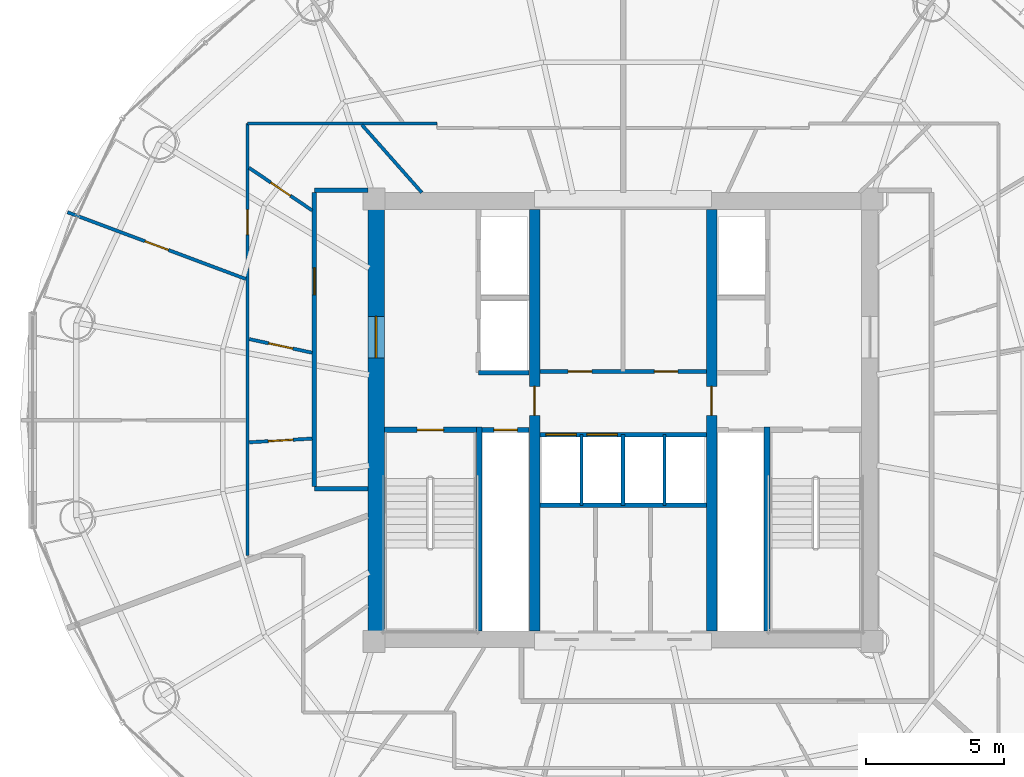
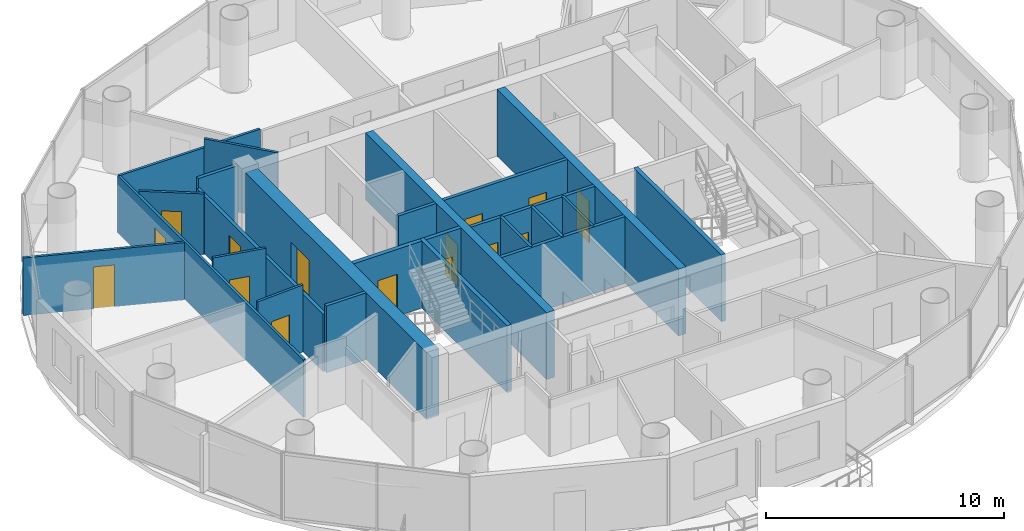
# One storey, part 21 of 26: 24 walls, 15 doors, 15 openings.
"""IFC4 building model written with IfcOpenShell, lengths in metres."""

from ifc_helpers import new_model, si_unit, direction, frame, frame_2d, origin, place, context, subcontext, project, spatial, rectangle, extrude, source, transform, mapped, material, layer, layer_set, type_object, element, fill, save


model = new_model("IFC4")

# Units and contexts
model_context = context("Model", 3, precision=1e-05, world=origin(), true_north=direction((-0.2419218956, 0.970295726276)))
body_context = subcontext(model_context, "Body", "Model", "MODEL_VIEW")
ifc_project = project(units=[si_unit("LENGTHUNIT", "METRE"), si_unit("AREAUNIT", "SQUARE_METRE"), si_unit("VOLUMEUNIT", "CUBIC_METRE"), si_unit("PLANEANGLEUNIT", "RADIAN"), si_unit("MASSUNIT", "GRAM", prefix="KILO")], contexts=[model_context])

# Site, building, storey
site_placement = place(None, origin())
site = spatial("IfcSite", under=ifc_project, at=site_placement, CompositionType="ELEMENT")
building_placement = place(site_placement, origin())
building = spatial("IfcBuilding", under=site, at=building_placement, Name="Cobrevalo Terracotta Tower", CompositionType="ELEMENT")
storey_placement = place(building_placement, frame((0.0, 0.0, 202.300048828125)))
storey = spatial("IfcBuildingStorey", under=building, at=storey_placement, Name="L53", CompositionType="ELEMENT", Elevation=202.300048828125)

# Wall, opening, door
ifc_material_1 = material(Name="Concrete C55", Category="concrete")
ifc_layer_1 = layer(ifc_material_1, 0.60009765625)
ifc_layer_set_1 = layer_set([ifc_layer_1], Name="Concrete C55")
wall_type_1 = type_object("IfcWallType", Name="Core shear wall 600 mm Concrete C55", PredefinedType="SHEAR", material=ifc_layer_set_1)
wall_1_placement = place(storey_placement, frame((29.074951171875, 19.175048828125, 0.0), z_axis=(0.0, 0.0, 1.0), x_axis=(0.0, 1.0, 0.0)))
wall_1 = element("IfcWall", 1, at=wall_1_placement, inside=storey, type_object=wall_type_1, Name="L53 west core shear wall", PredefinedType="SHEAR", context=body_context, shape_type="SweptSolid", body=[
    extrude(rectangle(XDim=15.25, YDim=0.60009765625, at=frame_2d((7.625, 0.0))), origin(), (0.0, 0.0, 1.0), 3.43505859375),
])
opening_1_placement = place(wall_1_placement, frame((9.875, 0.0, 0.0)))
opening_1 = element("IfcOpeningElement", 2, at=opening_1_placement, cuts=wall_1, Name="Opening ID-14", PredefinedType="OPENING", context=body_context, shape_type="SweptSolid", body=[
    extrude(rectangle(XDim=1.5, YDim=2.199951171875, at=frame_2d((0.75, 1.10009765625))), frame((0.0, 0.31005859375, 0.0), z_axis=(0.0, -1.0, 0.0), x_axis=(1.0, 0.0, 0.0)), (0.0, 0.0, 1.0), 0.6201171875),
])
ifc_material_2 = material(Name="Galvanized fire-rated steel", Category="steel")
door_type_1 = type_object("IfcDoorType", Name="Core cross-lobby double fire door 1500x2200 EI 90", OperationType="NOTDEFINED", PredefinedType="DOOR", material=ifc_material_2)
shared_shape_1 = source(origin(), body_context, "Body", "SweptSolid", [
    extrude(rectangle(XDim=1.5, YDim=2.199951171875, at=frame_2d((0.75, 1.10009765625))), frame((0.0, 0.02490234375, 0.0), z_axis=(0.0, -1.0, 0.0), x_axis=(1.0, 0.0, 0.0)), (0.0, 0.0, 1.0), 0.050048828125),
])
door_1_placement = place(opening_1_placement, origin())
door_1 = element("IfcDoor", 3, at=door_1_placement, inside=storey, type_object=door_type_1, Name="L53 west firefighting lobby entrance door", OperationType="DOUBLE_DOOR_SINGLE_SWING", OverallHeight=2.199951171875, OverallWidth=1.5, PredefinedType="DOOR", context=body_context, shape_type="MappedRepresentation", body=[
    mapped(shared_shape_1, transform((0.0, 0.0, 0.0), scale=1.0)),
])
fill(opening_1, door_1)

# Wall
ifc_material_3 = material(Name="Gypsum board on steel stud", Category="steel")
ifc_layer_2 = layer(ifc_material_3, 0.159912109375)
ifc_layer_set_2 = layer_set([ifc_layer_2], Name="Gypsum board on steel stud")
wall_type_2 = type_object("IfcWallType", Name="Fire-rated corridor acoustic partition wall 160 mm", PredefinedType="PARTITIONING", material=ifc_layer_set_2)
wall_2_placement = place(storey_placement, frame((32.77001953125, 28.52001953125, 0.0), z_axis=(0.0, 0.0, 1.0), x_axis=(1.0, 0.0, 0.0)))
element("IfcWall", 4, at=wall_2_placement, inside=storey, type_object=wall_type_2, Name="L53 interior partition IW-L53-FF1-S", PredefinedType="PARTITIONING", context=body_context, shape_type="SweptSolid", body=[
    extrude(rectangle(XDim=1.840087890625, YDim=0.159912109375, at=frame_2d((0.919921875, 0.0))), origin(), (0.0, 0.0, 1.0), 3.43505859375),
])

# Wall, openings, doors
wall_3_placement = place(storey_placement, frame((34.989990234375, 28.56005859375, 0.0), z_axis=(0.0, 0.0, 1.0), x_axis=(1.0, 0.0, 0.0)))
wall_3 = element("IfcWall", 5, at=wall_3_placement, inside=storey, type_object=wall_type_2, Name="L53 interior partition IW-L53-LB-S", PredefinedType="PARTITIONING", context=body_context, shape_type="SweptSolid", body=[
    extrude(rectangle(XDim=6.02001953125, YDim=0.159912109375, at=frame_2d((3.010009765625, 0.0))), origin(), (0.0, 0.0, 1.0), 3.43505859375),
])
opening_2_placement = place(wall_3_placement, frame((1.02490234375, 0.0, 0.0)))
opening_2 = element("IfcOpeningElement", 6, at=opening_2_placement, cuts=wall_3, Name="Opening ID-07", PredefinedType="OPENING", context=body_context, shape_type="SweptSolid", body=[
    extrude(rectangle(XDim=0.860107421875, YDim=2.10009765625, at=frame_2d((0.43017578125, 1.050048828125))), frame((0.0, 0.08984375, 0.0), z_axis=(0.0, -1.0, 0.0), x_axis=(1.0, 0.0, 0.0)), (0.0, 0.0, 1.0), 0.179931640625),
])
opening_3_placement = place(wall_3_placement, frame((4.139892578125, 0.0, 0.0)))
opening_3 = element("IfcOpeningElement", 7, at=opening_3_placement, cuts=wall_3, Name="Opening ID-22", PredefinedType="OPENING", context=body_context, shape_type="SweptSolid", body=[
    extrude(rectangle(XDim=0.85009765625, YDim=2.10009765625, at=frame_2d((0.425048828125, 1.050048828125))), frame((0.0, 0.08984375, 0.0), z_axis=(0.0, -1.0, 0.0), x_axis=(1.0, 0.0, 0.0)), (0.0, 0.0, 1.0), 0.179931640625),
])
ifc_material_4 = material(Name="Powder-coated steel", Category="steel")
door_type_2 = type_object("IfcDoorType", Name="Riser shaft & meter closet fire access door 850x2100 EI 60", OperationType="NOTDEFINED", PredefinedType="DOOR", material=ifc_material_4)
shared_shape_2 = source(origin(), body_context, "Body", "SweptSolid", [
    extrude(rectangle(XDim=0.85009765625, YDim=2.10009765625, at=frame_2d((0.425048828125, 1.050048828125))), frame((0.0, 0.02490234375, 0.0), z_axis=(0.0, -1.0, 0.0), x_axis=(1.0, 0.0, 0.0)), (0.0, 0.0, 1.0), 0.050048828125),
])
door_2_placement = place(opening_3_placement, origin())
door_2 = element("IfcDoor", 8, at=door_2_placement, inside=storey, type_object=door_type_2, Name="L53 core service door Floor Telecom and Metering Plant", OperationType="SINGLE_SWING_RIGHT", OverallHeight=2.10009765625, OverallWidth=0.85009765625, PredefinedType="DOOR", context=body_context, shape_type="MappedRepresentation", body=[
    mapped(shared_shape_2, transform((0.0, 0.0, 0.0), scale=1.0)),
])
fill(opening_3, door_2)
ifc_material_5 = material(Name="Fire-rated moisture-sealed timber", Category="wood")
door_type_3 = type_object("IfcDoorType", Name="Core & podium fire-rated accessible WC door 860x2100 EI 60", OperationType="NOTDEFINED", PredefinedType="DOOR", material=ifc_material_5)
shared_shape_3 = source(origin(), body_context, "Body", "SweptSolid", [
    extrude(rectangle(XDim=0.860107421875, YDim=2.10009765625, at=frame_2d((0.43017578125, 1.050048828125))), frame((0.0, 0.02490234375, 0.0), z_axis=(0.0, -1.0, 0.0), x_axis=(1.0, 0.0, 0.0)), (0.0, 0.0, 1.0), 0.050048828125),
])
door_3_placement = place(opening_2_placement, origin())
door_3 = element("IfcDoor", 9, at=door_3_placement, inside=storey, type_object=door_type_3, Name="L53 core service door Core Accessible Toilet WC", OperationType="SINGLE_SWING_LEFT", OverallHeight=2.10009765625, OverallWidth=0.860107421875, PredefinedType="DOOR", context=body_context, shape_type="MappedRepresentation", body=[
    mapped(shared_shape_3, transform((0.0, 0.0, 0.0), scale=1.0)),
])
fill(opening_2, door_3)

wall_4_placement = place(storey_placement, frame((34.989990234375, 26.280029296875, 0.0), z_axis=(0.0, 0.0, 1.0), x_axis=(1.0, 0.0, 0.0)))
wall_4 = element("IfcWall", 10, at=wall_4_placement, inside=storey, type_object=wall_type_2, Name="L53 interior partition IW-L53-MB-N", PredefinedType="PARTITIONING", context=body_context, shape_type="SweptSolid", body=[
    extrude(rectangle(XDim=6.02001953125, YDim=0.159912109375, at=frame_2d((3.010009765625, 0.0))), origin(), (0.0, 0.0, 1.0), 3.43505859375),
])
opening_4_placement = place(wall_4_placement, frame((0.22509765625, 0.0, 0.0)))
opening_4 = element("IfcOpeningElement", 11, at=opening_4_placement, cuts=wall_4, Name="Opening LD-01", PredefinedType="OPENING", context=body_context, shape_type="SweptSolid", body=[
    extrude(rectangle(XDim=1.10009765625, YDim=2.199951171875, at=frame_2d((0.550048828125, 1.10009765625))), frame((0.0, 0.08984375, 0.0), z_axis=(0.0, -1.0, 0.0), x_axis=(1.0, 0.0, 0.0)), (0.0, 0.0, 1.0), 0.179931640625),
])
opening_5_placement = place(wall_4_placement, frame((1.705078125, 0.0, 0.0)))
opening_5 = element("IfcOpeningElement", 12, at=opening_5_placement, cuts=wall_4, Name="Opening LD-01", PredefinedType="OPENING", context=body_context, shape_type="SweptSolid", body=[
    extrude(rectangle(XDim=1.10009765625, YDim=2.199951171875, at=frame_2d((0.550048828125, 1.10009765625))), frame((0.0, 0.08984375, 0.0), z_axis=(0.0, -1.0, 0.0), x_axis=(1.0, 0.0, 0.0)), (0.0, 0.0, 1.0), 0.179931640625),
])
ifc_material_6 = material(Name="Brushed stainless steel", Category="steel")
door_type_4 = type_object("IfcDoorType", Name="Passenger lift landing bi-parting sliding door 1100x2200 EI 90", OperationType="DOUBLE_DOOR_SLIDING", PredefinedType="DOOR", material=ifc_material_6)
shared_shape_4 = source(origin(), body_context, "Body", "SweptSolid", [
    extrude(rectangle(XDim=1.10009765625, YDim=2.199951171875, at=frame_2d((0.550048828125, 1.10009765625))), frame((0.0, 0.02490234375, 0.0), z_axis=(0.0, -1.0, 0.0), x_axis=(1.0, 0.0, 0.0)), (0.0, 0.0, 1.0), 0.050048828125),
])
door_4_placement = place(opening_4_placement, origin())
door_4 = element("IfcDoor", 13, at=door_4_placement, inside=storey, type_object=door_type_4, Name="L53 lift landing door PL-M1", OperationType="DOUBLE_DOOR_SLIDING", OverallHeight=2.199951171875, OverallWidth=1.10009765625, PredefinedType="DOOR", context=body_context, shape_type="MappedRepresentation", body=[
    mapped(shared_shape_4, transform((0.0, 0.0, 0.0), scale=1.0)),
])
fill(opening_4, door_4)
door_5_placement = place(opening_5_placement, origin())
door_5 = element("IfcDoor", 14, at=door_5_placement, inside=storey, type_object=door_type_4, Name="L53 lift landing door PL-M2", OperationType="DOUBLE_DOOR_SLIDING", OverallHeight=2.199951171875, OverallWidth=1.10009765625, PredefinedType="DOOR", context=body_context, shape_type="MappedRepresentation", body=[
    mapped(shared_shape_4, transform((0.0, 0.0, 0.0), scale=1.0)),
])
fill(opening_5, door_5)

# Wall
wall_5_placement = place(storey_placement, frame((34.989990234375, 23.719970703125, 0.0), z_axis=(0.0, 0.0, 1.0), x_axis=(1.0, 0.0, 0.0)))
element("IfcWall", 15, at=wall_5_placement, inside=storey, type_object=wall_type_2, Name="L53 interior partition IW-L53-MB-S", PredefinedType="PARTITIONING", context=body_context, shape_type="SweptSolid", body=[
    extrude(rectangle(XDim=6.02001953125, YDim=0.159912109375, at=frame_2d((3.010009765625, 0.0))), origin(), (0.0, 0.0, 1.0), 3.43505859375),
])

# Wall, opening, door
wall_6_placement = place(storey_placement, frame((26.844970703125, 24.39990234375, 0.0), z_axis=(0.0, 0.0, 1.0), x_axis=(0.0, 1.0, 0.0)))
wall_6 = element("IfcWall", 16, at=wall_6_placement, inside=storey, type_object=wall_type_2, Name="L53 interior partition IW-L53-COR-W", PredefinedType="PARTITIONING", context=body_context, shape_type="SweptSolid", body=[
    extrude(rectangle(XDim=10.625, YDim=0.159912109375, at=frame_2d((5.3125, 0.0))), origin(), (0.0, 0.0, 1.0), 2.950927734375),
])
opening_6_placement = place(wall_6_placement, frame((6.92724609375, 0.0, 0.0)))
opening_6 = element("IfcOpeningElement", 17, at=opening_6_placement, cuts=wall_6, Name="Opening ID-05", PredefinedType="OPENING", context=body_context, shape_type="SweptSolid", body=[
    extrude(rectangle(XDim=0.97998046875, YDim=2.199951171875, at=frame_2d((0.489990234375, 1.10009765625))), frame((0.0, 0.08984375, 0.0), z_axis=(0.0, -1.0, 0.0), x_axis=(1.0, 0.0, 0.0)), (0.0, 0.0, 1.0), 0.179931640625),
])
ifc_material_7 = material(Name="Solid hardwood timber", Category="wood")
door_type_5 = type_object("IfcDoorType", Name="Residence entrance fire-rated acoustic timber door 980x2200 EI 60", OperationType="NOTDEFINED", PredefinedType="DOOR", material=ifc_material_7)
shared_shape_5 = source(origin(), body_context, "Body", "SweptSolid", [
    extrude(rectangle(XDim=0.97998046875, YDim=2.199951171875, at=frame_2d((0.489990234375, 1.10009765625))), frame((0.0, 0.02490234375, 0.0), z_axis=(0.0, -1.0, 0.0), x_axis=(1.0, 0.0, 0.0)), (0.0, 0.0, 1.0), 0.050048828125),
])
door_6_placement = place(opening_6_placement, origin())
door_6 = element("IfcDoor", 18, at=door_6_placement, inside=storey, type_object=door_type_5, Name="Flat L53A fire-rated apartment entrance door", OperationType="SINGLE_SWING_RIGHT", OverallHeight=2.199951171875, OverallWidth=0.97998046875, PredefinedType="DOOR", context=body_context, shape_type="MappedRepresentation", body=[
    mapped(shared_shape_5, transform((0.0, 0.0, 0.0), scale=1.0)),
])
fill(opening_6, door_6)

# Walls
for number, where, z_axis, x_axis, name in (
    (19, (26.844970703125, 35.10498046875, 0.0), (0.0, 0.0, 1.0), (1.0, 0.0, 0.0), "L53 interior partition IW-L53-COR-WN-CAP"),
    (20, (26.844970703125, 24.320068359375, 0.0), (0.0, 0.0, 1.0), (1.0, 0.0, 0.0), "L53 interior partition IW-L53-COR-WS-CAP"),
):
    element("IfcWall", number, at=place(storey_placement, frame(where, z_axis=z_axis, x_axis=x_axis)), inside=storey, type_object=wall_type_2, Name=name, PredefinedType="PARTITIONING", context=body_context, shape_type="SweptSolid", body=[
        extrude(rectangle(XDim=1.929931640625, YDim=0.159912109375, at=frame_2d((0.96484375, 0.0))), origin(), (0.0, 0.0, 1.0), 3.43505859375),
    ])

# Wall, opening, door
ifc_layer_3 = layer(ifc_material_3, 0.179931640625)
ifc_layer_set_3 = layer_set([ifc_layer_3], Name="Gypsum board on steel stud")
wall_type_3 = type_object("IfcWallType", Name="Fire-rated shaft & lobby acoustic partition wall 180 mm", PredefinedType="PARTITIONING", material=ifc_layer_set_3)
wall_7_placement = place(storey_placement, frame((32.89990234375, 26.449951171875, 0.0), z_axis=(0.0, 0.0, 1.0), x_axis=(1.0, 0.0, 0.0)))
wall_7 = element("IfcWall", 21, at=wall_7_placement, inside=storey, type_object=wall_type_3, Name="L53 interior partition IW-L53-RSW-N", PredefinedType="PARTITIONING", context=body_context, shape_type="SweptSolid", body=[
    extrude(rectangle(XDim=1.710205078125, YDim=0.179931640625, at=frame_2d((0.85498046875, 0.0))), origin(), (0.0, 0.0, 1.0), 3.43505859375),
])
opening_7_placement = place(wall_7_placement, frame((0.429931640625, 0.0, 0.0)))
opening_7 = element("IfcOpeningElement", 22, at=opening_7_placement, cuts=wall_7, Name="Opening ID-22", PredefinedType="OPENING", context=body_context, shape_type="SweptSolid", body=[
    extrude(rectangle(XDim=0.85009765625, YDim=2.10009765625, at=frame_2d((0.425048828125, 1.050048828125))), frame((0.0, 0.10009765625, 0.0), z_axis=(0.0, -1.0, 0.0), x_axis=(1.0, 0.0, 0.0)), (0.0, 0.0, 1.0), 0.199951171875),
])
door_7_placement = place(opening_7_placement, origin())
door_7 = element("IfcDoor", 23, at=door_7_placement, inside=storey, type_object=door_type_2, Name="L53 riser access door RSW", OperationType="SINGLE_SWING_LEFT", OverallHeight=2.10009765625, OverallWidth=0.85009765625, PredefinedType="DOOR", context=body_context, shape_type="MappedRepresentation", body=[
    mapped(shared_shape_2, transform((0.0, 0.0, 0.0), scale=1.0)),
])
fill(opening_7, door_7)

# Walls
ifc_material_8 = material(Name="Autoclaved aerated concrete block", Category="concrete")
ifc_layer_4 = layer(ifc_material_8, 0.1201171875)
ifc_layer_set_4 = layer_set([ifc_layer_4], Name="Autoclaved aerated concrete block")
wall_type_4 = type_object("IfcWallType", Name="Fire-rated wet-room & core service partition 120 mm", PredefinedType="PARTITIONING", material=ifc_layer_set_4)
for number, where, z_axis, x_axis, name in (
    (24, (36.5, 23.719970703125, 0.0), (0.0, 0.0, 1.0), (0.0, 1.0, 0.0), "L53 interior partition IW-L53-MB-D1"),
    (25, (39.5, 23.719970703125, 0.0), (0.0, 0.0, 1.0), (0.0, 1.0, 0.0), "L53 interior partition IW-L53-MB-D3"),
):
    element("IfcWall", number, at=place(storey_placement, frame(where, z_axis=z_axis, x_axis=x_axis)), inside=storey, type_object=wall_type_4, Name=name, PredefinedType="PARTITIONING", context=body_context, shape_type="SweptSolid", body=[
        extrude(rectangle(XDim=2.56005859375, YDim=0.1201171875, at=frame_2d((1.280029296875, 0.0))), origin(), (0.0, 0.0, 1.0), 3.43505859375),
    ])

# Wall, opening, door
ifc_material_9 = material(Name="Concrete C50", Category="concrete")
ifc_layer_5 = layer(ifc_material_9, 0.3798828125)
ifc_layer_set_5 = layer_set([ifc_layer_5], Name="Concrete C50")
wall_type_5 = type_object("IfcWallType", Name="Internal core shear web wall 380 mm Concrete C50", PredefinedType="SHEAR", material=ifc_layer_set_5)
wall_8_placement = place(storey_placement, frame((34.800048828125, 19.175048828125, 0.0), z_axis=(0.0, 0.0, 1.0), x_axis=(0.0, 1.0, 0.0)))
wall_8 = element("IfcWall", 26, at=wall_8_placement, inside=storey, type_object=wall_type_5, Name="L53 internal core shear wall WEB-W", PredefinedType="SHEAR", context=body_context, shape_type="SweptSolid", body=[
    extrude(rectangle(XDim=15.25, YDim=0.3798828125, at=frame_2d((7.625, 0.0))), origin(), (0.0, 0.0, 1.0), 3.43505859375),
])
opening_8_placement = place(wall_8_placement, frame((7.800048828125, 0.0, 0.0)))
opening_8 = element("IfcOpeningElement", 27, at=opening_8_placement, cuts=wall_8, Name="Opening ID-11", PredefinedType="OPENING", context=body_context, shape_type="SweptSolid", body=[
    extrude(rectangle(XDim=1.050048828125, YDim=2.14990234375, at=frame_2d((0.52490234375, 1.074951171875))), frame((0.0, 0.199951171875, 0.0), z_axis=(0.0, -1.0, 0.0), x_axis=(1.0, 0.0, 0.0)), (0.0, 0.0, 1.0), 0.39990234375),
])
door_type_6 = type_object("IfcDoorType", Name="Core concourse cross fire door 1050x2150 EI 90", OperationType="NOTDEFINED", PredefinedType="DOOR", material=ifc_material_2)
shared_shape_6 = source(origin(), body_context, "Body", "SweptSolid", [
    extrude(rectangle(XDim=1.050048828125, YDim=2.14990234375, at=frame_2d((0.52490234375, 1.074951171875))), frame((0.0, 0.02490234375, 0.0), z_axis=(0.0, -1.0, 0.0), x_axis=(1.0, 0.0, 0.0)), (0.0, 0.0, 1.0), 0.050048828125),
])
door_8_placement = place(opening_8_placement, origin())
door_8 = element("IfcDoor", 28, at=door_8_placement, inside=storey, type_object=door_type_6, Name="L53 west core concourse cross door", OperationType="SINGLE_SWING_LEFT", OverallHeight=2.14990234375, OverallWidth=1.050048828125, PredefinedType="DOOR", context=body_context, shape_type="MappedRepresentation", body=[
    mapped(shared_shape_6, transform((0.0, 0.0, 0.0), scale=1.0)),
])
fill(opening_8, door_8)

wall_9_placement = place(storey_placement, frame((41.199951171875, 19.175048828125, 0.0), z_axis=(0.0, 0.0, 1.0), x_axis=(0.0, 1.0, 0.0)))
wall_9 = element("IfcWall", 29, at=wall_9_placement, inside=storey, type_object=wall_type_5, Name="L53 internal core shear wall WEB-E", PredefinedType="SHEAR", context=body_context, shape_type="SweptSolid", body=[
    extrude(rectangle(XDim=15.25, YDim=0.3798828125, at=frame_2d((7.625, 0.0))), origin(), (0.0, 0.0, 1.0), 3.43505859375),
])
opening_9_placement = place(wall_9_placement, frame((7.800048828125, 0.0, 0.0)))
opening_9 = element("IfcOpeningElement", 30, at=opening_9_placement, cuts=wall_9, Name="Opening ID-11", PredefinedType="OPENING", context=body_context, shape_type="SweptSolid", body=[
    extrude(rectangle(XDim=1.050048828125, YDim=2.14990234375, at=frame_2d((0.52490234375, 1.074951171875))), frame((0.0, 0.199951171875, 0.0), z_axis=(0.0, -1.0, 0.0), x_axis=(1.0, 0.0, 0.0)), (0.0, 0.0, 1.0), 0.39990234375),
])
door_9_placement = place(opening_9_placement, frame((1.050048828125, 0.0, 0.0), z_axis=(0.0, 0.0, 1.0), x_axis=(-1.0, 0.0, 0.0)))
door_9 = element("IfcDoor", 31, at=door_9_placement, inside=storey, type_object=door_type_6, Name="L53 east core concourse cross door", OperationType="SINGLE_SWING_RIGHT", OverallHeight=2.14990234375, OverallWidth=1.050048828125, PredefinedType="DOOR", context=body_context, shape_type="MappedRepresentation", body=[
    mapped(shared_shape_6, transform((0.0, 0.0, 0.0), scale=1.0)),
])
fill(opening_9, door_9)

# Wall
ifc_layer_6 = layer(ifc_material_8, 0.139892578125)
ifc_layer_set_6 = layer_set([ifc_layer_6], Name="Autoclaved aerated concrete block")
wall_type_6 = type_object("IfcWallType", Name="Moisture-resistant wet-room & core service partition 140 mm", PredefinedType="PARTITIONING", material=ifc_layer_set_6)
wall_10_placement = place(storey_placement, frame((38.0, 23.719970703125, 0.0), z_axis=(0.0, 0.0, 1.0), x_axis=(0.0, 1.0, 0.0)))
element("IfcWall", 32, at=wall_10_placement, inside=storey, type_object=wall_type_6, Name="L53 interior partition IW-L53-MB-D2", PredefinedType="PARTITIONING", context=body_context, shape_type="SweptSolid", body=[
    extrude(rectangle(XDim=2.56005859375, YDim=0.139892578125, at=frame_2d((1.280029296875, 0.0))), origin(), (0.0, 0.0, 1.0), 3.43505859375),
])

# Wall, opening, door
ifc_layer_7 = layer(ifc_material_3, 0.1201171875)
ifc_layer_set_7 = layer_set([ifc_layer_7], Name="Gypsum board on steel stud")
wall_type_7 = type_object("IfcWallType", Name="Residential internal acoustic stud partition 120 mm", PredefinedType="PARTITIONING", material=ifc_layer_set_7)
wall_11_placement = place(storey_placement, frame((24.425048828125, 21.89990234375, 0.0), z_axis=(0.0, 0.0, 1.0), x_axis=(0.0, 1.0, 0.0)))
wall_11 = element("IfcWall", 33, at=wall_11_placement, inside=storey, type_object=wall_type_7, Name="L53 interior partition IW-L53-U1-RING1_0", PredefinedType="PARTITIONING", context=body_context, shape_type="SweptSolid", body=[
    extrude(rectangle(XDim=15.625, YDim=0.1201171875, at=frame_2d((7.8125, 0.0))), origin(), (0.0, 0.0, 1.0), 2.950927734375),
])
opening_10_placement = place(wall_11_placement, frame((11.611083984375, 0.0, 0.0)))
opening_10 = element("IfcOpeningElement", 34, at=opening_10_placement, cuts=wall_11, Name="Opening ID-12", PredefinedType="OPENING", context=body_context, shape_type="SweptSolid", body=[
    extrude(rectangle(XDim=0.89990234375, YDim=2.14990234375, at=frame_2d((0.449951171875, 1.074951171875))), frame((0.0, 0.070068359375, 0.0), z_axis=(0.0, -1.0, 0.0), x_axis=(1.0, 0.0, 0.0)), (0.0, 0.0, 1.0), 0.14013671875),
])
ifc_material_10 = material(Name="Engineered timber", Category="wood")
door_type_7 = type_object("IfcDoorType", Name="Internal residence & suite timber door 900x2150", OperationType="NOTDEFINED", PredefinedType="DOOR", material=ifc_material_10)
shared_shape_7 = source(origin(), body_context, "Body", "SweptSolid", [
    extrude(rectangle(XDim=0.89990234375, YDim=2.14990234375, at=frame_2d((0.449951171875, 1.074951171875))), frame((0.0, 0.02490234375, 0.0), z_axis=(0.0, -1.0, 0.0), x_axis=(1.0, 0.0, 0.0)), (0.0, 0.0, 1.0), 0.050048828125),
])
door_10_placement = place(opening_10_placement, origin())
door_10 = element("IfcDoor", 35, at=door_10_placement, inside=storey, type_object=door_type_7, Name="Flat L53A Master Bedroom internal door", OperationType="SINGLE_SWING_RIGHT", OverallHeight=2.14990234375, OverallWidth=0.89990234375, PredefinedType="DOOR", context=body_context, shape_type="MappedRepresentation", body=[
    mapped(shared_shape_7, transform((0.0, 0.0, 0.0), scale=1.0)),
])
fill(opening_10, door_10)

# Wall
wall_12_placement = place(storey_placement, frame((24.425048828125, 37.52490234375, 0.0), z_axis=(0.0, 0.0, 1.0), x_axis=(1.0, 0.0, 0.0)))
element("IfcWall", 36, at=wall_12_placement, inside=storey, type_object=wall_type_7, Name="L53 interior partition IW-L53-U1-RING2_0", PredefinedType="PARTITIONING", context=body_context, shape_type="SweptSolid", body=[
    extrude(rectangle(XDim=6.849853515625, YDim=0.1201171875, at=frame_2d((3.4248046875, 0.0))), origin(), (0.0, 0.0, 1.0), 2.950927734375),
])

# Wall, opening, door
wall_13_placement = place(storey_placement, frame((24.366943359375, 31.903076171875, 0.0), z_axis=(0.0, 0.0, 1.0), x_axis=(-0.936544604529, 0.350548432785, 0.0)))
wall_13 = element("IfcWall", 37, at=wall_13_placement, inside=storey, type_object=wall_type_7, Name="L53 interior partition IW-L53-U1-ORAD2", PredefinedType="PARTITIONING", context=body_context, shape_type="SweptSolid", body=[
    extrude(rectangle(XDim=6.88720703125, YDim=0.1201171875, at=frame_2d((3.443603515625, 0.0))), origin(), (0.0, 0.0, 1.0), 2.950927734375),
])
opening_11_placement = place(wall_13_placement, frame((2.99365234375, 0.0, 0.0)))
opening_11 = element("IfcOpeningElement", 38, at=opening_11_placement, cuts=wall_13, Name="Opening ID-12", PredefinedType="OPENING", context=body_context, shape_type="SweptSolid", body=[
    extrude(rectangle(XDim=0.89990234375, YDim=2.14990234375, at=frame_2d((0.449951171875, 1.074951171875))), frame((0.0, 0.070068359375, 0.0), z_axis=(0.0, -1.0, 0.0), x_axis=(1.0, 0.0, 0.0)), (0.0, 0.0, 1.0), 0.14013671875),
])
door_11_placement = place(opening_11_placement, origin())
door_11 = element("IfcDoor", 39, at=door_11_placement, inside=storey, type_object=door_type_7, Name="Flat L53A Principal Guest Bedroom internal door", OperationType="SINGLE_SWING_LEFT", OverallHeight=2.14990234375, OverallWidth=0.89990234375, PredefinedType="DOOR", context=body_context, shape_type="MappedRepresentation", body=[
    mapped(shared_shape_7, transform((0.0, 0.0, 0.0), scale=1.0)),
])
fill(opening_11, door_11)

# Wall
wall_14_placement = place(storey_placement, frame((30.726318359375, 35.026611328125, 0.0), z_axis=(0.0, 0.0, 1.0), x_axis=(-0.662398427862, 0.749151735475, 0.0)))
element("IfcWall", 40, at=wall_14_placement, inside=storey, type_object=wall_type_7, Name="L53 interior partition IW-L53-U1-IRAD2", PredefinedType="PARTITIONING", context=body_context, shape_type="SweptSolid", body=[
    extrude(rectangle(XDim=3.27294921875, YDim=0.1201171875, at=frame_2d((1.636474609375, 0.0))), origin(), (0.0, 0.0, 1.0), 3.43505859375),
])

# Wall, opening, door
wall_15_placement = place(storey_placement, frame((26.764892578125, 34.38134765625, 0.0), z_axis=(0.0, 0.0, 1.0), x_axis=(-0.828908126494, 0.55938476725, 0.0)))
wall_15 = element("IfcWall", 41, at=wall_15_placement, inside=storey, type_object=wall_type_7, Name="L53 interior partition IW-L53-U1-IRAD3", PredefinedType="PARTITIONING", context=body_context, shape_type="SweptSolid", body=[
    extrude(rectangle(XDim=2.760986328125, YDim=0.1201171875, at=frame_2d((1.38037109375, 0.0))), origin(), (0.0, 0.0, 1.0), 3.10986328125),
])
opening_12_placement = place(wall_15_placement, frame((0.950439453125, 0.0, 0.0)))
opening_12 = element("IfcOpeningElement", 42, at=opening_12_placement, cuts=wall_15, Name="Opening ID-19", PredefinedType="OPENING", context=body_context, shape_type="SweptSolid", body=[
    extrude(rectangle(XDim=0.860107421875, YDim=2.14990234375, at=frame_2d((0.43017578125, 1.074951171875))), frame((0.0, 0.070068359375, 0.0), z_axis=(0.0, -1.0, 0.0), x_axis=(1.0, 0.0, 0.0)), (0.0, 0.0, 1.0), 0.14013671875),
])
ifc_material_11 = material(Name="Moisture-sealed timber", Category="wood")
door_type_8 = type_object("IfcDoorType", Name="Suite bathroom internal timber door 860x2150", OperationType="NOTDEFINED", PredefinedType="DOOR", material=ifc_material_11)
shared_shape_8 = source(origin(), body_context, "Body", "SweptSolid", [
    extrude(rectangle(XDim=0.860107421875, YDim=2.14990234375, at=frame_2d((0.43017578125, 1.074951171875))), frame((0.0, 0.02490234375, 0.0), z_axis=(0.0, -1.0, 0.0), x_axis=(1.0, 0.0, 0.0)), (0.0, 0.0, 1.0), 0.050048828125),
])
door_12_placement = place(opening_12_placement, frame((0.860107421875, 0.0, 0.0), z_axis=(0.0, 0.0, 1.0), x_axis=(-1.0, 0.0, 0.0)))
door_12 = element("IfcDoor", 43, at=door_12_placement, inside=storey, type_object=door_type_8, Name="Flat L53A Primary Bathroom internal door", OperationType="SINGLE_SWING_LEFT", OverallHeight=2.14990234375, OverallWidth=0.860107421875, PredefinedType="DOOR", context=body_context, shape_type="MappedRepresentation", body=[
    mapped(shared_shape_8, transform((0.0, 0.0, 0.0), scale=1.0)),
])
fill(opening_12, door_12)

wall_16_placement = place(storey_placement, frame((26.764892578125, 29.237548828125, 0.0), z_axis=(0.0, 0.0, 1.0), x_axis=(-0.977275456013, 0.211973307458, 0.0)))
wall_16 = element("IfcWall", 44, at=wall_16_placement, inside=storey, type_object=wall_type_7, Name="L53 interior partition IW-L53-U1-IRAD4", PredefinedType="PARTITIONING", context=body_context, shape_type="SweptSolid", body=[
    extrude(rectangle(XDim=2.332275390625, YDim=0.1201171875, at=frame_2d((1.166015625, 0.0))), origin(), (0.0, 0.0, 1.0), 3.43505859375),
])
opening_13_placement = place(wall_16_placement, frame((0.71630859375, 0.0, 0.0)))
opening_13 = element("IfcOpeningElement", 45, at=opening_13_placement, cuts=wall_16, Name="Opening ID-12", PredefinedType="OPENING", context=body_context, shape_type="SweptSolid", body=[
    extrude(rectangle(XDim=0.89990234375, YDim=2.14990234375, at=frame_2d((0.449951171875, 1.074951171875))), frame((0.0, 0.070068359375, 0.0), z_axis=(0.0, -1.0, 0.0), x_axis=(1.0, 0.0, 0.0)), (0.0, 0.0, 1.0), 0.14013671875),
])
door_13_placement = place(opening_13_placement, origin())
door_13 = element("IfcDoor", 46, at=door_13_placement, inside=storey, type_object=door_type_7, Name="Flat L53A Kitchen internal door", OperationType="SINGLE_SWING_RIGHT", OverallHeight=2.14990234375, OverallWidth=0.89990234375, PredefinedType="DOOR", context=body_context, shape_type="MappedRepresentation", body=[
    mapped(shared_shape_7, transform((0.0, 0.0, 0.0), scale=1.0)),
])
fill(opening_13, door_13)

wall_17_placement = place(storey_placement, frame((26.764892578125, 26.134521484375, 0.0), z_axis=(0.0, 0.0, 1.0), x_axis=(-0.998248453424, -0.059161011118, 0.0)))
wall_17 = element("IfcWall", 47, at=wall_17_placement, inside=storey, type_object=wall_type_7, Name="L53 interior partition IW-L53-U1-IRAD5", PredefinedType="PARTITIONING", context=body_context, shape_type="SweptSolid", body=[
    extrude(rectangle(XDim=2.281982421875, YDim=0.1201171875, at=frame_2d((1.14111328125, 0.0))), origin(), (0.0, 0.0, 1.0), 3.43505859375),
])
opening_14_placement = place(wall_17_placement, frame((0.691162109375, 0.0, 0.0)))
opening_14 = element("IfcOpeningElement", 48, at=opening_14_placement, cuts=wall_17, Name="Opening ID-12", PredefinedType="OPENING", context=body_context, shape_type="SweptSolid", body=[
    extrude(rectangle(XDim=0.89990234375, YDim=2.14990234375, at=frame_2d((0.449951171875, 1.074951171875))), frame((0.0, 0.070068359375, 0.0), z_axis=(0.0, -1.0, 0.0), x_axis=(1.0, 0.0, 0.0)), (0.0, 0.0, 1.0), 0.14013671875),
])
door_14_placement = place(opening_14_placement, origin())
door_14 = element("IfcDoor", 49, at=door_14_placement, inside=storey, type_object=door_type_7, Name="Flat L53A Utility Closet internal door", OperationType="SINGLE_SWING_LEFT", OverallHeight=2.14990234375, OverallWidth=0.89990234375, PredefinedType="DOOR", context=body_context, shape_type="MappedRepresentation", body=[
    mapped(shared_shape_7, transform((0.0, 0.0, 0.0), scale=1.0)),
])
fill(opening_14, door_14)

# Wall
ifc_layer_8 = layer(ifc_material_9, 0.199951171875)
ifc_layer_set_8 = layer_set([ifc_layer_8], Name="Concrete C50")
wall_type_8 = type_object("IfcWallType", Name="Structural core & podium stair-shaft RC wall 200 mm Concrete C50", PredefinedType="SOLIDWALL", material=ifc_layer_set_8)
wall_18_placement = place(storey_placement, frame((32.794921875, 19.175048828125, 0.0), z_axis=(0.0, 0.0, 1.0), x_axis=(0.0, 1.0, 0.0)))
element("IfcWall", 50, at=wall_18_placement, inside=storey, type_object=wall_type_8, Name="L53 ST-1 east structural shaft wall", PredefinedType="SOLIDWALL", context=body_context, shape_type="SweptSolid", body=[
    extrude(rectangle(XDim=7.375, YDim=0.199951171875, at=frame_2d((3.6875, 0.0))), origin(), (0.0, 0.0, 1.0), 3.43505859375),
])

# Wall, opening, door
wall_19_placement = place(storey_placement, frame((29.375, 26.449951171875, 0.0), z_axis=(0.0, 0.0, 1.0), x_axis=(1.0, 0.0, 0.0)))
wall_19 = element("IfcWall", 51, at=wall_19_placement, inside=storey, type_object=wall_type_8, Name="L53 ST-1 north structural shaft wall", PredefinedType="SOLIDWALL", context=body_context, shape_type="SweptSolid", body=[
    extrude(rectangle(XDim=3.320068359375, YDim=0.199951171875, at=frame_2d((1.66015625, 0.0))), origin(), (0.0, 0.0, 1.0), 3.43505859375),
])
opening_15_placement = place(wall_19_placement, frame((1.18505859375, 0.0, 0.0)))
opening_15 = element("IfcOpeningElement", 52, at=opening_15_placement, cuts=wall_19, Name="Opening ID-04", PredefinedType="OPENING", context=body_context, shape_type="SweptSolid", body=[
    extrude(rectangle(XDim=0.949951171875, YDim=2.14990234375, at=frame_2d((0.47509765625, 1.074951171875))), frame((0.0, 0.10986328125, 0.0), z_axis=(0.0, -1.0, 0.0), x_axis=(1.0, 0.0, 0.0)), (0.0, 0.0, 1.0), 0.219970703125),
])
door_type_9 = type_object("IfcDoorType", Name="Stair & firefighting lobby fire door 950x2150 EI 90", OperationType="NOTDEFINED", PredefinedType="DOOR", material=ifc_material_2)
shared_shape_9 = source(origin(), body_context, "Body", "SweptSolid", [
    extrude(rectangle(XDim=0.949951171875, YDim=2.14990234375, at=frame_2d((0.47509765625, 1.074951171875))), frame((0.0, 0.02490234375, 0.0), z_axis=(0.0, -1.0, 0.0), x_axis=(1.0, 0.0, 0.0)), (0.0, 0.0, 1.0), 0.050048828125),
])
door_15_placement = place(opening_15_placement, origin())
door_15 = element("IfcDoor", 53, at=door_15_placement, inside=storey, type_object=door_type_9, Name="L53 protected stair ST1 fire door", OperationType="SINGLE_SWING_LEFT", OverallHeight=2.14990234375, OverallWidth=0.949951171875, PredefinedType="DOOR", context=body_context, shape_type="MappedRepresentation", body=[
    mapped(shared_shape_9, transform((0.0, 0.0, 0.0), scale=1.0)),
])
fill(opening_15, door_15)

# Wall
wall_20_placement = place(storey_placement, frame((43.205078125, 19.175048828125, 0.0), z_axis=(0.0, 0.0, 1.0), x_axis=(0.0, 1.0, 0.0)))
element("IfcWall", 54, at=wall_20_placement, inside=storey, type_object=wall_type_8, Name="L53 ST-2 west structural shaft wall", PredefinedType="SOLIDWALL", context=body_context, shape_type="SweptSolid", body=[
    extrude(rectangle(XDim=7.375, YDim=0.199951171875, at=frame_2d((3.6875, 0.0))), origin(), (0.0, 0.0, 1.0), 3.43505859375),
])

save(model, "model.ifc")
